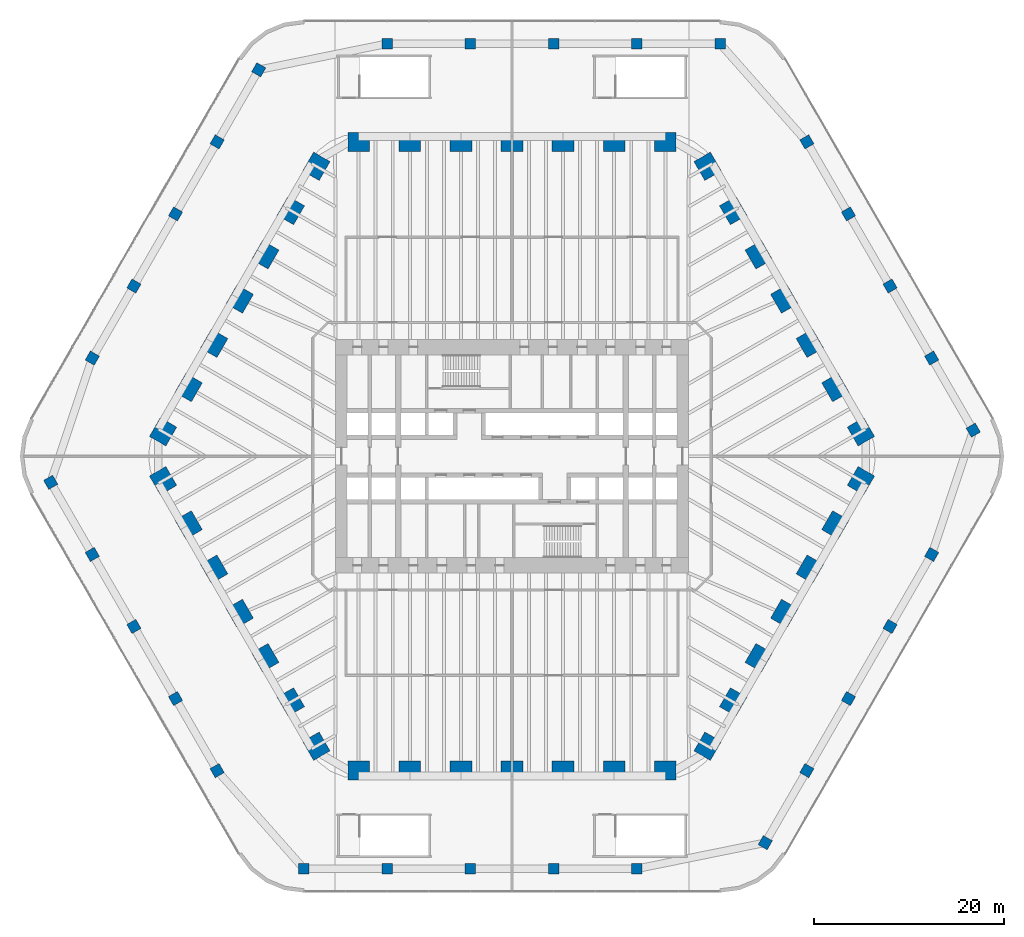
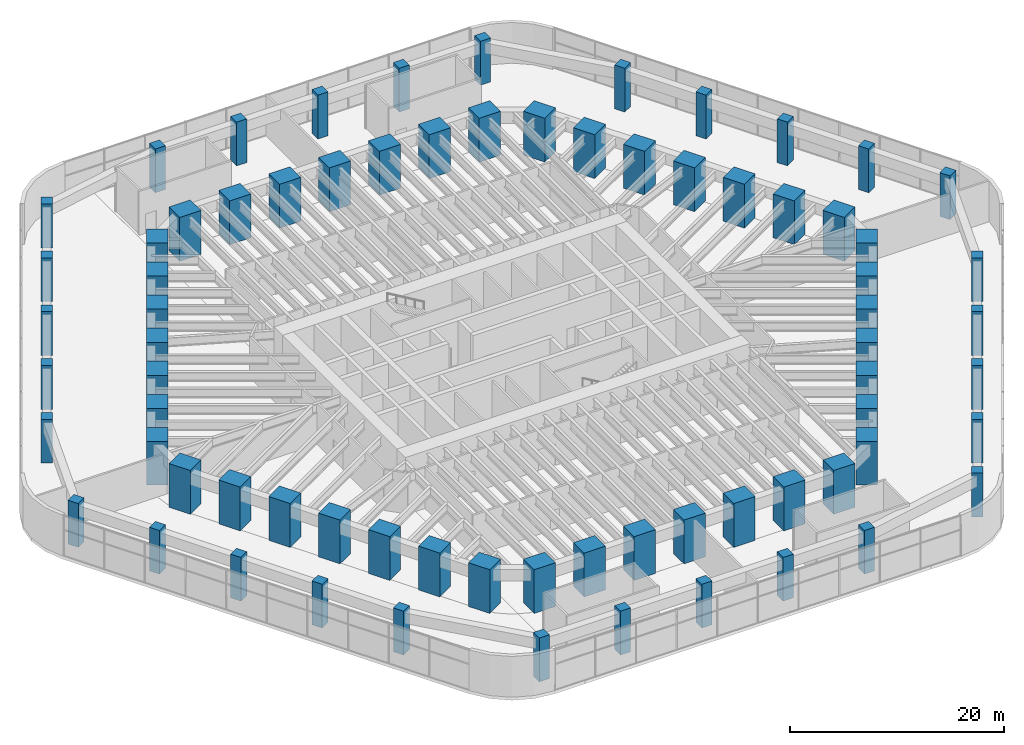
# One storey, part 1 of 31: 72 columns.
"""IFC4 building model written with IfcOpenShell, lengths in metres."""

from ifc_helpers import new_model, si_unit, direction, frame, origin, origin_2d, place, context, subcontext, project, spatial, rectangle, extrude, material, material_profile, profile_set, type_object, element, save


model = new_model("IFC4")

# Units and contexts
model_context = context("Model", 3, precision=1e-05, world=origin(), true_north=direction((0.0, 1.0)))
body_context = subcontext(model_context, "Body", "Model", "MODEL_VIEW")
ifc_project = project(units=[si_unit("LENGTHUNIT", "METRE"), si_unit("AREAUNIT", "SQUARE_METRE"), si_unit("VOLUMEUNIT", "CUBIC_METRE"), si_unit("PLANEANGLEUNIT", "RADIAN"), si_unit("MASSUNIT", "GRAM", prefix="KILO")], contexts=[model_context])

# Site, building, storey
site_placement = place(None, origin())
site = spatial("IfcSite", under=ifc_project, at=site_placement, CompositionType="ELEMENT")
building_placement = place(site_placement, origin())
building = spatial("IfcBuilding", under=site, at=building_placement, Name="Tarfa Lantern Tower", CompositionType="ELEMENT")
storey_placement = place(building_placement, frame((0.0, 0.0, 18.5)))
storey = spatial("IfcBuildingStorey", under=building, at=storey_placement, Name="L03", CompositionType="ELEMENT", Elevation=18.5)

# Columns
ifc_material = material(Name="Concrete C80/95", Category="concrete")
ifc_material_profile_1 = material_profile(ifc_material, rectangle(XDim=1.10009765625, YDim=1.10009765625, at=origin_2d()), Name="RC 1100x1100")
ifc_profile_set_1 = profile_set([ifc_material_profile_1], Name="Concrete C80/95")
column_type_1 = type_object("IfcColumnType", Name="PC2 RC 1100x1100", PredefinedType="COLUMN", material=ifc_profile_set_1)
for number, where, z_axis, x_axis, name in (
    (1, (48.641845703125, 2.75, 0.0), (0.0, 0.0, 1.0), (-0.5, 0.866025403784, 0.0), "Podium column NE0"),
    (2, (44.25390625, 10.35009765625, 0.0), (0.0, 0.0, 1.0), (-0.5, 0.866025403784, 0.0), "Podium column NE1"),
    (3, (39.865966796875, 17.949951171875, 0.0), (0.0, 0.0, 1.0), (-0.5, 0.866025403784, 0.0), "Podium column NE2"),
    (4, (35.478271484375, 25.550048828125, 0.0), (0.0, 0.0, 1.0), (-0.5, 0.866025403784, 0.0), "Podium column NE3"),
    (5, (31.09033203125, 33.14990234375, 0.0), (0.0, 0.0, 1.0), (-0.5, 0.866025403784, 0.0), "Podium column NE4"),
    (6, (21.939208984375, 43.5, 0.0), (0.0, 0.0, 1.0), (-1.0, 0.0, 0.0), "Podium column N0"),
    (7, (13.16357421875, 43.5, 0.0), (0.0, 0.0, 1.0), (-1.0, 0.0, 0.0), "Podium column N1"),
    (8, (4.387939453125, 43.5, 0.0), (0.0, 0.0, 1.0), (-1.0, 0.0, 0.0), "Podium column N2"),
    (9, (-4.387939453125, 43.5, 0.0), (0.0, 0.0, 1.0), (-1.0, 0.0, 0.0), "Podium column N3"),
    (10, (-13.16357421875, 43.5, 0.0), (0.0, 0.0, 1.0), (-1.0, 0.0, 0.0), "Podium column N4"),
    (11, (-26.702392578125, 40.75, 0.0), (0.0, 0.0, 1.0), (-0.5, -0.866025403784, 0.0), "Podium column NW0"),
    (12, (-31.09033203125, 33.14990234375, 0.0), (0.0, 0.0, 1.0), (-0.5, -0.866025403784, 0.0), "Podium column NW1"),
    (13, (-35.478271484375, 25.550048828125, 0.0), (0.0, 0.0, 1.0), (-0.5, -0.866025403784, 0.0), "Podium column NW2"),
    (14, (-39.865966796875, 17.949951171875, 0.0), (0.0, 0.0, 1.0), (-0.5, -0.866025403784, 0.0), "Podium column NW3"),
    (15, (-44.25390625, 10.35009765625, 0.0), (0.0, 0.0, 1.0), (-0.5, -0.866025403784, 0.0), "Podium column NW4"),
    (16, (-48.641845703125, -2.75, 0.0), (0.0, 0.0, 1.0), (0.5, -0.866025403784, 0.0), "Podium column SW0"),
    (17, (-44.25390625, -10.35009765625, 0.0), (0.0, 0.0, 1.0), (0.5, -0.866025403784, 0.0), "Podium column SW1"),
    (18, (-39.865966796875, -17.949951171875, 0.0), (0.0, 0.0, 1.0), (0.5, -0.866025403784, 0.0), "Podium column SW2"),
    (19, (-35.478271484375, -25.550048828125, 0.0), (0.0, 0.0, 1.0), (0.5, -0.866025403784, 0.0), "Podium column SW3"),
    (20, (-31.09033203125, -33.14990234375, 0.0), (0.0, 0.0, 1.0), (0.5, -0.866025403784, 0.0), "Podium column SW4"),
    (21, (-21.939208984375, -43.5, 0.0), (0.0, 0.0, 1.0), (1.0, 0.0, 0.0), "Podium column S0"),
    (22, (-13.16357421875, -43.5, 0.0), (0.0, 0.0, 1.0), (1.0, 0.0, 0.0), "Podium column S1"),
    (23, (-4.387939453125, -43.5, 0.0), (0.0, 0.0, 1.0), (1.0, 0.0, 0.0), "Podium column S2"),
    (24, (4.387939453125, -43.5, 0.0), (0.0, 0.0, 1.0), (1.0, 0.0, 0.0), "Podium column S3"),
    (25, (13.16357421875, -43.5, 0.0), (0.0, 0.0, 1.0), (1.0, 0.0, 0.0), "Podium column S4"),
    (26, (26.702392578125, -40.75, 0.0), (0.0, 0.0, 1.0), (0.5, 0.866025403784, 0.0), "Podium column SE0"),
    (27, (31.09033203125, -33.14990234375, 0.0), (0.0, 0.0, 1.0), (0.5, 0.866025403784, 0.0), "Podium column SE1"),
    (28, (35.478271484375, -25.550048828125, 0.0), (0.0, 0.0, 1.0), (0.5, 0.866025403784, 0.0), "Podium column SE2"),
    (29, (39.865966796875, -17.949951171875, 0.0), (0.0, 0.0, 1.0), (0.5, 0.866025403784, 0.0), "Podium column SE3"),
    (30, (44.25390625, -10.35009765625, 0.0), (0.0, 0.0, 1.0), (0.5, 0.866025403784, 0.0), "Podium column SE4"),
):
    element("IfcColumn", number, at=place(storey_placement, frame(where, z_axis=z_axis, x_axis=x_axis)), inside=storey, type_object=column_type_1, Name=name, PredefinedType="COLUMN", context=body_context, shape_type="SweptSolid", body=[
        extrude(rectangle(XDim=1.10009765625, YDim=1.10009765625, at=origin_2d()), origin(), (0.0, 0.0, 1.0), 5.0),
    ])
ifc_material_profile_2 = material_profile(ifc_material, rectangle(XDim=2.300048828125, YDim=2.0, at=origin_2d()), Name="RC 2300x2000")
ifc_profile_set_2 = profile_set([ifc_material_profile_2], Name="Concrete C80/95")
column_type_2 = type_object("IfcColumnType", Name="TC1 RC 2300x2000", PredefinedType="COLUMN", material=ifc_profile_set_2)
for number, where, z_axis, x_axis, name in (
    (31, (36.791748046875, 2.574951171875, 0.0), (0.0, 0.0, 1.0), (-0.5, 0.866025403784, 0.0), "Tube column NE0"),
    (32, (34.097412109375, 7.24169921875, 0.0), (0.0, 0.0, 1.0), (-0.5, 0.866025403784, 0.0), "Tube column NE1"),
    (33, (31.403076171875, 11.908447265625, 0.0), (0.0, 0.0, 1.0), (-0.5, 0.866025403784, 0.0), "Tube column NE2"),
    (34, (28.708740234375, 16.574951171875, 0.0), (0.0, 0.0, 1.0), (-0.5, 0.866025403784, 0.0), "Tube column NE3"),
    (35, (26.014404296875, 21.24169921875, 0.0), (0.0, 0.0, 1.0), (-0.5, 0.866025403784, 0.0), "Tube column NE4"),
    (36, (23.320068359375, 25.908447265625, 0.0), (0.0, 0.0, 1.0), (-0.5, 0.866025403784, 0.0), "Tube column NE5"),
    (37, (20.625732421875, 30.574951171875, 0.0), (0.0, 0.0, 1.0), (-0.5, 0.866025403784, 0.0), "Tube column NE6"),
    (38, (16.165771484375, 33.14990234375, 0.0), (0.0, 0.0, 1.0), (-1.0, 0.0, 0.0), "Tube column N0"),
    (39, (10.777099609375, 33.14990234375, 0.0), (0.0, 0.0, 1.0), (-1.0, 0.0, 0.0), "Tube column N1"),
    (40, (5.388671875, 33.14990234375, 0.0), (0.0, 0.0, 1.0), (-1.0, 0.0, 0.0), "Tube column N2"),
    (41, (0.0, 33.14990234375, 0.0), (0.0, 0.0, 1.0), (-1.0, 0.0, 0.0), "Tube column N3"),
    (42, (-5.388671875, 33.14990234375, 0.0), (0.0, 0.0, 1.0), (-1.0, 0.0, 0.0), "Tube column N4"),
    (43, (-10.777099609375, 33.14990234375, 0.0), (0.0, 0.0, 1.0), (-1.0, 0.0, 0.0), "Tube column N5"),
    (44, (-16.165771484375, 33.14990234375, 0.0), (0.0, 0.0, 1.0), (-1.0, 0.0, 0.0), "Tube column N6"),
    (45, (-20.625732421875, 30.574951171875, 0.0), (0.0, 0.0, 1.0), (-0.5, -0.866025403784, 0.0), "Tube column NW0"),
    (46, (-23.320068359375, 25.908447265625, 0.0), (0.0, 0.0, 1.0), (-0.5, -0.866025403784, 0.0), "Tube column NW1"),
    (47, (-26.014404296875, 21.24169921875, 0.0), (0.0, 0.0, 1.0), (-0.5, -0.866025403784, 0.0), "Tube column NW2"),
    (48, (-28.708740234375, 16.574951171875, 0.0), (0.0, 0.0, 1.0), (-0.5, -0.866025403784, 0.0), "Tube column NW3"),
    (49, (-31.403076171875, 11.908447265625, 0.0), (0.0, 0.0, 1.0), (-0.5, -0.866025403784, 0.0), "Tube column NW4"),
    (50, (-34.097412109375, 7.24169921875, 0.0), (0.0, 0.0, 1.0), (-0.5, -0.866025403784, 0.0), "Tube column NW5"),
    (51, (-36.791748046875, 2.574951171875, 0.0), (0.0, 0.0, 1.0), (-0.5, -0.866025403784, 0.0), "Tube column NW6"),
    (52, (-36.791748046875, -2.574951171875, 0.0), (0.0, 0.0, 1.0), (0.5, -0.866025403784, 0.0), "Tube column SW0"),
    (53, (-34.097412109375, -7.24169921875, 0.0), (0.0, 0.0, 1.0), (0.5, -0.866025403784, 0.0), "Tube column SW1"),
    (54, (-31.403076171875, -11.908447265625, 0.0), (0.0, 0.0, 1.0), (0.5, -0.866025403784, 0.0), "Tube column SW2"),
    (55, (-28.708740234375, -16.574951171875, 0.0), (0.0, 0.0, 1.0), (0.5, -0.866025403784, 0.0), "Tube column SW3"),
    (56, (-26.014404296875, -21.24169921875, 0.0), (0.0, 0.0, 1.0), (0.5, -0.866025403784, 0.0), "Tube column SW4"),
    (57, (-23.320068359375, -25.908447265625, 0.0), (0.0, 0.0, 1.0), (0.5, -0.866025403784, 0.0), "Tube column SW5"),
    (58, (-20.625732421875, -30.574951171875, 0.0), (0.0, 0.0, 1.0), (0.5, -0.866025403784, 0.0), "Tube column SW6"),
    (59, (-16.165771484375, -33.14990234375, 0.0), (0.0, 0.0, 1.0), (1.0, 0.0, 0.0), "Tube column S0"),
    (60, (-10.777099609375, -33.14990234375, 0.0), (0.0, 0.0, 1.0), (1.0, 0.0, 0.0), "Tube column S1"),
    (61, (-5.388671875, -33.14990234375, 0.0), (0.0, 0.0, 1.0), (1.0, 0.0, 0.0), "Tube column S2"),
    (62, (0.0, -33.14990234375, 0.0), (0.0, 0.0, 1.0), (1.0, 0.0, 0.0), "Tube column S3"),
    (63, (5.388671875, -33.14990234375, 0.0), (0.0, 0.0, 1.0), (1.0, 0.0, 0.0), "Tube column S4"),
    (64, (10.777099609375, -33.14990234375, 0.0), (0.0, 0.0, 1.0), (1.0, 0.0, 0.0), "Tube column S5"),
    (65, (16.165771484375, -33.14990234375, 0.0), (0.0, 0.0, 1.0), (1.0, 0.0, 0.0), "Tube column S6"),
    (66, (20.625732421875, -30.574951171875, 0.0), (0.0, 0.0, 1.0), (0.5, 0.866025403784, 0.0), "Tube column SE0"),
    (67, (23.320068359375, -25.908447265625, 0.0), (0.0, 0.0, 1.0), (0.5, 0.866025403784, 0.0), "Tube column SE1"),
    (68, (26.014404296875, -21.24169921875, 0.0), (0.0, 0.0, 1.0), (0.5, 0.866025403784, 0.0), "Tube column SE2"),
    (69, (28.708740234375, -16.574951171875, 0.0), (0.0, 0.0, 1.0), (0.5, 0.866025403784, 0.0), "Tube column SE3"),
    (70, (31.403076171875, -11.908447265625, 0.0), (0.0, 0.0, 1.0), (0.5, 0.866025403784, 0.0), "Tube column SE4"),
    (71, (34.097412109375, -7.24169921875, 0.0), (0.0, 0.0, 1.0), (0.5, 0.866025403784, 0.0), "Tube column SE5"),
    (72, (36.791748046875, -2.574951171875, 0.0), (0.0, 0.0, 1.0), (0.5, 0.866025403784, 0.0), "Tube column SE6"),
):
    element("IfcColumn", number, at=place(storey_placement, frame(where, z_axis=z_axis, x_axis=x_axis)), inside=storey, type_object=column_type_2, Name=name, PredefinedType="COLUMN", context=body_context, shape_type="SweptSolid", body=[
        extrude(rectangle(XDim=2.300048828125, YDim=2.0, at=origin_2d()), origin(), (0.0, 0.0, 1.0), 5.0),
    ])

save(model, "model.ifc")
